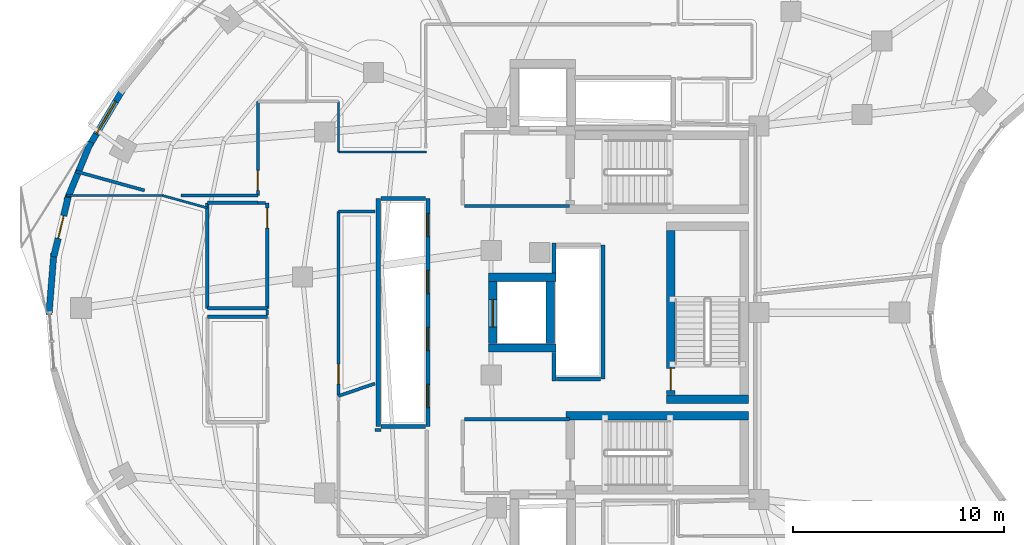
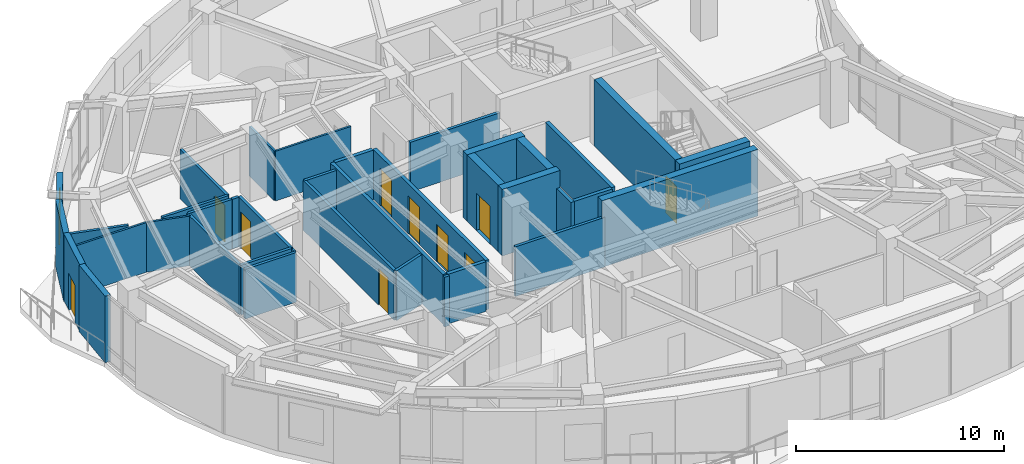
# One storey, part 9 of 14: 39 walls, 10 doors, 1 window, 11 openings.
"""IFC4 building model written with IfcOpenShell, lengths in metres."""

from ifc_helpers import new_model, si_unit, direction, frame, frame_2d, origin, place, context, subcontext, project, spatial, rectangle, extrude, material, layer, layer_set, type_object, element, fill, save


model = new_model("IFC4")

# Units and contexts
model_context = context("Model", 3, precision=1e-05, world=origin(), true_north=direction((0.0, 1.0)))
body_context = subcontext(model_context, "Body", "Model", "MODEL_VIEW")
ifc_project = project(units=[si_unit("LENGTHUNIT", "METRE"), si_unit("AREAUNIT", "SQUARE_METRE"), si_unit("VOLUMEUNIT", "CUBIC_METRE"), si_unit("PLANEANGLEUNIT", "RADIAN"), si_unit("MASSUNIT", "GRAM", prefix="KILO")], contexts=[model_context])

# Site, building, storey
site_placement = place(None, origin())
site = spatial("IfcSite", under=ifc_project, at=site_placement, CompositionType="ELEMENT")
building_placement = place(site_placement, origin())
building = spatial("IfcBuilding", under=site, at=building_placement, Name="Korentha Bioscience Tower", CompositionType="ELEMENT")
storey_placement = place(building_placement, frame((0.0, 0.0, 231.0)))
storey = spatial("IfcBuildingStorey", under=building, at=storey_placement, Name="L53", CompositionType="ELEMENT", Elevation=231.0)

# Wall, opening, door
ifc_material_1 = material(Name="Double-Stud Acoustic Gypsum", Category="gypsum")
ifc_layer_1 = layer(ifc_material_1, 0.14990234375, Name="Double-Stud Acoustic Gypsum")
ifc_layer_set_1 = layer_set([ifc_layer_1], Name="Double-Stud Acoustic Gypsum (IW-L150)")
wall_type_1 = type_object("IfcWallType", Name="Acoustic Laboratory Partition Wall 150", PredefinedType="PARTITIONING", material=ifc_layer_set_1)
wall_1_placement = place(storey_placement, frame((13.7900390625, 37.0, 0.0), z_axis=(0.0, 0.0, 1.0), x_axis=(0.0, -1.0, 0.0)))
wall_1 = element("IfcWall", 1, at=wall_1_placement, inside=storey, type_object=wall_type_1, Name="L53 Staff Kitchenette and Dining Nook 10 Entrance Wall", PredefinedType="PARTITIONING", context=body_context, shape_type="SweptSolid", body=[
    extrude(rectangle(XDim=4.447998046875, YDim=0.14990234375, at=frame_2d((2.22412109375, 0.0))), origin(), (0.0, 0.0, 1.0), 2.909912109375),
])
opening_1_placement = place(wall_1_placement, frame((3.258056640625, 0.0, 0.0)))
opening_1 = element("IfcOpeningElement", 2, at=opening_1_placement, cuts=wall_1, Name="Opening ID-10L", PredefinedType="OPENING", context=body_context, shape_type="SweptSolid", body=[
    extrude(rectangle(XDim=0.949951171875, YDim=2.14990234375, at=frame_2d((0.47509765625, 1.074951171875))), frame((0.0, 0.08984375, 0.0), z_axis=(0.0, -1.0, 0.0), x_axis=(1.0, 0.0, 0.0)), (0.0, 0.0, 1.0), 0.1796875),
])
ifc_material_2 = material(Name="Phenolic Laminate Timber Core", Category="wood")
door_type_1 = type_object("IfcDoorType", Name="Laboratory Single Leaf Door 950x2150 Left", OperationType="SINGLE_SWING_LEFT", PredefinedType="DOOR", material=ifc_material_2)
door_1_placement = place(opening_1_placement, origin())
door_1 = element("IfcDoor", 3, at=door_1_placement, inside=storey, type_object=door_type_1, Name="L53 Staff Kitchenette and Dining Nook 10 Door", OperationType="SINGLE_SWING_LEFT", OverallHeight=2.14990234375, OverallWidth=0.949951171875, PredefinedType="DOOR", context=body_context, shape_type="SweptSolid", body=[
    extrude(rectangle(XDim=0.949951171875, YDim=2.14990234375, at=frame_2d((0.47509765625, 1.074951171875))), frame((0.0, 0.02490234375, 0.0), z_axis=(0.0, -1.0, 0.0), x_axis=(1.0, 0.0, 0.0)), (0.0, 0.0, 1.0), 0.050048828125),
])
fill(opening_1, door_1)

# Walls
wall_2_placement = place(storey_placement, frame((11.39990234375, 26.800048828125, 0.0), z_axis=(0.0, 0.0, 1.0), x_axis=(1.0, 0.0, 0.0)))
element("IfcWall", 4, at=wall_2_placement, inside=storey, type_object=wall_type_1, Name="L53 Interior Partition 026", PredefinedType="PARTITIONING", context=body_context, shape_type="SweptSolid", body=[
    extrude(rectangle(XDim=2.840087890625, YDim=0.14990234375, at=frame_2d((1.419921875, 0.0))), origin(), (0.0, 0.0, 1.0), 2.909912109375),
])
wall_3_placement = place(storey_placement, frame((19.35009765625, 21.43994140625, 0.0), z_axis=(0.0, 0.0, 1.0), x_axis=(1.0, 0.0, 0.0)))
element("IfcWall", 5, at=wall_3_placement, inside=storey, type_object=wall_type_1, Name="L53 Interior Partition 037", PredefinedType="PARTITIONING", context=body_context, shape_type="SweptSolid", body=[
    extrude(rectangle(XDim=0.27001953125, YDim=0.14990234375, at=frame_2d((0.135009765625, 0.0))), origin(), (0.0, 0.0, 1.0), 2.909912109375),
])
wall_4_placement = place(storey_placement, frame((17.610107421875, 23.0478515625, 0.0), z_axis=(0.0, 0.0, 1.0), x_axis=(0.9472297082, 0.320555580054, 0.0)))
element("IfcWall", 6, at=wall_4_placement, inside=storey, type_object=wall_type_1, Name="L53 Interior Partition 040", PredefinedType="PARTITIONING", context=body_context, shape_type="SweptSolid", body=[
    extrude(rectangle(XDim=1.826416015625, YDim=0.14990234375, at=frame_2d((0.9130859375, 0.0))), origin(), (0.0, 0.0, 1.0), 2.909912109375),
])
wall_5_placement = place(storey_placement, frame((13.7900390625, 32.552001953125, 0.0), z_axis=(0.0, 0.0, 1.0), x_axis=(-1.0, 0.0, 0.0)))
element("IfcWall", 7, at=wall_5_placement, inside=storey, type_object=wall_type_1, Name="L53 Interior Partition 067", PredefinedType="PARTITIONING", context=body_context, shape_type="SweptSolid", body=[
    extrude(rectangle(XDim=3.63916015625, YDim=0.14990234375, at=frame_2d((1.819580078125, 0.0))), origin(), (0.0, 0.0, 1.0), 2.909912109375),
])
wall_6_placement = place(storey_placement, frame((8.416748046875, 32.7880859375, 0.0), z_axis=(0.0, 0.0, 1.0), x_axis=(-0.963635086901, 0.267221666961, 0.0)))
element("IfcWall", 8, at=wall_6_placement, inside=storey, type_object=wall_type_1, Name="L53 Interior Partition 068", PredefinedType="PARTITIONING", context=body_context, shape_type="SweptSolid", body=[
    extrude(rectangle(XDim=3.370361328125, YDim=0.14990234375, at=frame_2d((1.68505859375, 0.0))), origin(), (0.0, 0.0, 1.0), 2.909912109375),
])
ifc_material_3 = material(Name="Fire-Rated Framed Glass", Category="glass")
ifc_layer_2 = layer(ifc_material_3, 0.110107421875, Name="Fire-Rated Framed Glass")
ifc_layer_set_2 = layer_set([ifc_layer_2], Name="Fire-Rated Framed Glass (IW-G110)")
wall_type_2 = type_object("IfcWallType", Name="Demountable Glazed Office Partition 110", PredefinedType="MOVABLE", material=ifc_layer_set_2)
wall_7_placement = place(storey_placement, frame((4.71875, 32.548095703125, 0.0), z_axis=(0.0, 0.0, 1.0), x_axis=(1.0, 0.0, 0.0)))
element("IfcWall", 9, at=wall_7_placement, inside=storey, type_object=wall_type_2, Name="L53 Interior Partition 031", PredefinedType="MOVABLE", context=body_context, shape_type="SweptSolid", body=[
    extrude(rectangle(XDim=4.54833984375, YDim=0.110107421875, at=frame_2d((2.274169921875, 0.0))), origin(), (0.0, 0.0, 1.0), 2.909912109375),
])
wall_8_placement = place(storey_placement, frame((9.267333984375, 32.548095703125, 0.0), z_axis=(0.0, 0.0, 1.0), x_axis=(0.963603606823, -0.267335162141, 0.0)))
element("IfcWall", 10, at=wall_8_placement, inside=storey, type_object=wall_type_2, Name="L53 Interior Partition 032", PredefinedType="MOVABLE", context=body_context, shape_type="SweptSolid", body=[
    extrude(rectangle(XDim=2.20263671875, YDim=0.110107421875, at=frame_2d((1.101318359375, 0.0))), origin(), (0.0, 0.0, 1.0), 2.909912109375),
])
wall_9_placement = place(storey_placement, frame((14.239990234375, 27.116943359375, 0.0), z_axis=(0.0, 0.0, 1.0), x_axis=(0.0, -1.0, 0.0)))
element("IfcWall", 11, at=wall_9_placement, inside=storey, type_object=wall_type_2, Name="L53 Interior Partition 033", PredefinedType="MOVABLE", context=body_context, shape_type="SweptSolid", body=[
    extrude(rectangle(XDim=0.239013671875, YDim=0.110107421875, at=frame_2d((0.11962890625, 0.0))), origin(), (0.0, 0.0, 1.0), 2.909912109375),
])
wall_10_placement = place(storey_placement, frame((21.7900390625, 34.610107421875, 0.0), z_axis=(0.0, 0.0, 1.0), x_axis=(-1.0, 0.0, 0.0)))
element("IfcWall", 12, at=wall_10_placement, inside=storey, type_object=wall_type_2, Name="L53 Interior Partition 061", PredefinedType="MOVABLE", context=body_context, shape_type="SweptSolid", body=[
    extrude(rectangle(XDim=4.179931640625, YDim=0.110107421875, at=frame_2d((2.08984375, 0.0))), origin(), (0.0, 0.0, 1.0), 2.909912109375),
])
wall_11_placement = place(storey_placement, frame((17.610107421875, 34.610107421875, 0.0), z_axis=(0.0, 0.0, 1.0), x_axis=(0.0, 1.0, 0.0)))
element("IfcWall", 13, at=wall_11_placement, inside=storey, type_object=wall_type_2, Name="L53 Interior Partition 062", PredefinedType="MOVABLE", context=body_context, shape_type="SweptSolid", body=[
    extrude(rectangle(XDim=2.389892578125, YDim=0.110107421875, at=frame_2d((1.19482421875, 0.0))), origin(), (0.0, 0.0, 1.0), 2.909912109375),
])
ifc_material_4 = material(Name="Gypsum-Clad Steel Stud", Category="steel")
ifc_layer_3 = layer(ifc_material_4, 0.159912109375, Name="Gypsum-Clad Steel Stud")
ifc_layer_set_3 = layer_set([ifc_layer_3], Name="Gypsum-Clad Steel Stud (IW-C160)")
wall_type_3 = type_object("IfcWallType", Name="Fire-Rated Corridor Partition Wall 160", PredefinedType="PARTITIONING", material=ifc_layer_set_3)
for number, where, z_axis, x_axis, name in (
    (14, (23.580078125, 32.050048828125, 0.0), (0.0, 0.0, 1.0), (1.0, 0.0, 0.0), "L53 Firefighting Lobby Return Wall FFLN-S"),
    (15, (23.580078125, 21.949951171875, 0.0), (0.0, 0.0, 1.0), (1.0, 0.0, 0.0), "L53 Firefighting Lobby Return Wall FFLS-N"),
):
    element("IfcWall", number, at=place(storey_placement, frame(where, z_axis=z_axis, x_axis=x_axis)), inside=storey, type_object=wall_type_3, Name=name, PredefinedType="PARTITIONING", context=body_context, shape_type="SweptSolid", body=[
        extrude(rectangle(XDim=4.969970703125, YDim=0.159912109375, at=frame_2d((2.48486328125, 0.0))), origin(), (0.0, 0.0, 1.0), 2.909912109375),
    ])

# Wall, opening, door
wall_12_placement = place(storey_placement, frame((14.239990234375, 32.18994140625, 0.0), z_axis=(0.0, 0.0, 1.0), x_axis=(0.0, -1.0, 0.0)))
wall_12 = element("IfcWall", 16, at=wall_12_placement, inside=storey, type_object=wall_type_3, Name="L53 Reclaimed Bank-1 Glassware Store Entrance Wall", PredefinedType="PARTITIONING", context=body_context, shape_type="SweptSolid", body=[
    extrude(rectangle(XDim=4.989990234375, YDim=0.159912109375, at=frame_2d((2.4951171875, 0.0))), origin(), (0.0, 0.0, 1.0), 2.909912109375),
])
opening_2_placement = place(wall_12_placement, frame((0.239990234375, 0.0, 0.0)))
opening_2 = element("IfcOpeningElement", 17, at=opening_2_placement, cuts=wall_12, Name="Opening ID-10L", PredefinedType="OPENING", context=body_context, shape_type="SweptSolid", body=[
    extrude(rectangle(XDim=0.949951171875, YDim=2.14990234375, at=frame_2d((0.47509765625, 1.074951171875))), frame((0.0, 0.0947265625, 0.0), z_axis=(0.0, -1.0, 0.0), x_axis=(1.0, 0.0, 0.0)), (0.0, 0.0, 1.0), 0.189697265625),
])
door_2_placement = place(opening_2_placement, origin())
door_2 = element("IfcDoor", 18, at=door_2_placement, inside=storey, type_object=door_type_1, Name="L53 Reclaimed Bank-1 Glassware Store Door", OperationType="SINGLE_SWING_LEFT", OverallHeight=2.14990234375, OverallWidth=0.949951171875, PredefinedType="DOOR", context=body_context, shape_type="SweptSolid", body=[
    extrude(rectangle(XDim=0.949951171875, YDim=2.14990234375, at=frame_2d((0.47509765625, 1.074951171875))), frame((0.0, 0.02490234375, 0.0), z_axis=(0.0, -1.0, 0.0), x_axis=(1.0, 0.0, 0.0)), (0.0, 0.0, 1.0), 0.050048828125),
])
fill(opening_2, door_2)

wall_13_placement = place(storey_placement, frame((17.610107421875, 23.058349609375, 0.0), z_axis=(0.0, 0.0, 1.0), x_axis=(0.0, 1.0, 0.0)))
wall_13 = element("IfcWall", 19, at=wall_13_placement, inside=storey, type_object=wall_type_3, Name="L53 Specimen Barcoding Receiving Room 11 Entrance Wall", PredefinedType="PARTITIONING", context=body_context, shape_type="SweptSolid", body=[
    extrude(rectangle(XDim=8.731689453125, YDim=0.159912109375, at=frame_2d((4.36572265625, 0.0))), origin(), (0.0, 0.0, 1.0), 2.909912109375),
])
opening_3_placement = place(wall_13_placement, frame((0.551513671875, 0.0, 0.0)))
opening_3 = element("IfcOpeningElement", 20, at=opening_3_placement, cuts=wall_13, Name="Opening ID-10R", PredefinedType="OPENING", context=body_context, shape_type="SweptSolid", body=[
    extrude(rectangle(XDim=0.949951171875, YDim=2.14990234375, at=frame_2d((0.47509765625, 1.074951171875))), frame((0.0, 0.0947265625, 0.0), z_axis=(0.0, -1.0, 0.0), x_axis=(1.0, 0.0, 0.0)), (0.0, 0.0, 1.0), 0.189697265625),
])
door_type_2 = type_object("IfcDoorType", Name="Laboratory Single Leaf Door 950x2150 Right", OperationType="SINGLE_SWING_RIGHT", PredefinedType="DOOR", material=ifc_material_2)
door_3_placement = place(opening_3_placement, origin())
door_3 = element("IfcDoor", 21, at=door_3_placement, inside=storey, type_object=door_type_2, Name="L53 Specimen Barcoding Receiving Room 11 Door", OperationType="SINGLE_SWING_RIGHT", OverallHeight=2.14990234375, OverallWidth=0.949951171875, PredefinedType="DOOR", context=body_context, shape_type="SweptSolid", body=[
    extrude(rectangle(XDim=0.949951171875, YDim=2.14990234375, at=frame_2d((0.47509765625, 1.074951171875))), frame((0.0, 0.02490234375, 0.0), z_axis=(0.0, -1.0, 0.0), x_axis=(1.0, 0.0, 0.0)), (0.0, 0.0, 1.0), 0.050048828125),
])
fill(opening_3, door_3)

# Walls
wall_14_placement = place(storey_placement, frame((13.800048828125, 32.18994140625, 0.0), z_axis=(0.0, 0.0, 1.0), x_axis=(1.0, 0.0, 0.0)))
element("IfcWall", 22, at=wall_14_placement, inside=storey, type_object=wall_type_3, Name="L53 Interior Partition 027", PredefinedType="PARTITIONING", context=body_context, shape_type="SweptSolid", body=[
    extrude(rectangle(XDim=0.35693359375, YDim=0.159912109375, at=frame_2d((0.178466796875, 0.0))), origin(), (0.0, 0.0, 1.0), 2.909912109375),
])
wall_15_placement = place(storey_placement, frame((14.239990234375, 27.199951171875, 0.0), z_axis=(0.0, 0.0, 1.0), x_axis=(-1.0, 0.0, 0.0)))
element("IfcWall", 23, at=wall_15_placement, inside=storey, type_object=wall_type_3, Name="L53 Interior Partition 028", PredefinedType="PARTITIONING", context=body_context, shape_type="SweptSolid", body=[
    extrude(rectangle(XDim=2.840087890625, YDim=0.159912109375, at=frame_2d((1.419921875, 0.0))), origin(), (0.0, 0.0, 1.0), 2.909912109375),
])
wall_16_placement = place(storey_placement, frame((11.39990234375, 27.199951171875, 0.0), z_axis=(0.0, 0.0, 1.0), x_axis=(0.0, 1.0, 0.0)))
element("IfcWall", 24, at=wall_16_placement, inside=storey, type_object=wall_type_3, Name="L53 Interior Partition 029", PredefinedType="PARTITIONING", context=body_context, shape_type="SweptSolid", body=[
    extrude(rectangle(XDim=5.0, YDim=0.159912109375, at=frame_2d((2.5, 0.0))), origin(), (0.0, 0.0, 1.0), 2.909912109375),
])
wall_17_placement = place(storey_placement, frame((11.39990234375, 32.199951171875, 0.0), z_axis=(0.0, 0.0, 1.0), x_axis=(1.0, 0.0, 0.0)))
element("IfcWall", 25, at=wall_17_placement, inside=storey, type_object=wall_type_3, Name="L53 Interior Partition 030", PredefinedType="PARTITIONING", context=body_context, shape_type="SweptSolid", body=[
    extrude(rectangle(XDim=2.39013671875, YDim=0.159912109375, at=frame_2d((1.195068359375, 0.0))), origin(), (0.0, 0.0, 1.0), 2.909912109375),
])
wall_18_placement = place(storey_placement, frame((17.610107421875, 31.7900390625, 0.0), z_axis=(0.0, 0.0, 1.0), x_axis=(1.0, 0.0, 0.0)))
element("IfcWall", 26, at=wall_18_placement, inside=storey, type_object=wall_type_3, Name="L53 Interior Partition 069", PredefinedType="PARTITIONING", context=body_context, shape_type="SweptSolid", body=[
    extrude(rectangle(XDim=1.72998046875, YDim=0.159912109375, at=frame_2d((0.864990234375, 0.0))), origin(), (0.0, 0.0, 1.0), 2.909912109375),
])

# Wall, opening, window
ifc_material_5 = material(Name="Honed Limestone Precast Concrete C40", Category="masonry")
ifc_layer_4 = layer(ifc_material_5, 0.300048828125, Name="Honed Limestone Precast Concrete C40")
ifc_layer_set_4 = layer_set([ifc_layer_4], Name="Honed Limestone Precast Concrete C40 (EW-ST300)")
wall_type_4 = type_object("IfcWallType", Name="Honed Limestone Cavity Spandrel Wall 300", PredefinedType="STANDARD", material=ifc_layer_set_4)
wall_19_placement = place(storey_placement, frame((7.3701171875, 37.5380859375, 0.0), z_axis=(0.0, 0.0, 1.0), x_axis=(-0.511263271049, -0.859424148879, 0.0)))
wall_19 = element("IfcWall", 27, at=wall_19_placement, inside=storey, type_object=wall_type_4, Name="L53 Honed Limestone Spandrel Wall 15", PredefinedType="STANDARD", context=body_context, shape_type="SweptSolid", body=[
    extrude(rectangle(XDim=3.03564453125, YDim=0.300048828125, at=frame_2d((1.517822265625, 0.0))), origin(), (0.0, 0.0, 1.0), 3.469970703125),
])
opening_4_placement = place(wall_19_placement, frame((0.617919921875, 0.0, 0.89990234375)))
opening_4 = element("IfcOpeningElement", 28, at=opening_4_placement, cuts=wall_19, Name="Opening WN-01", PredefinedType="OPENING", context=body_context, shape_type="SweptSolid", body=[
    extrude(rectangle(XDim=1.800048828125, YDim=2.10009765625, at=frame_2d((0.89990234375, 1.050048828125))), frame((0.0, 0.1650390625, 0.0), z_axis=(0.0, -1.0, 0.0), x_axis=(1.0, 0.0, 0.0)), (0.0, 0.0, 1.0), 0.329833984375),
])
ifc_material_6 = material(Name="Thermally Broken Aluminium Triple Glazing", Category="aluminium")
window_type = type_object("IfcWindowType", Name="Triple-Glazed Fixed Bioscience Window 1800x2100", PartitioningType="SINGLE_PANEL", PredefinedType="WINDOW", material=ifc_material_6)
window_placement = place(opening_4_placement, origin())
window = element("IfcWindow", 29, at=window_placement, inside=storey, type_object=window_type, Name="L53 Facade Window 15", OverallHeight=2.10009765625, OverallWidth=1.800048828125, PartitioningType="SINGLE_PANEL", PredefinedType="WINDOW", context=body_context, shape_type="SweptSolid", body=[
    extrude(rectangle(XDim=1.800048828125, YDim=2.10009765625, at=frame_2d((0.89990234375, 1.050048828125))), frame((0.0, 0.030029296875, 0.0), z_axis=(0.0, -1.0, 0.0), x_axis=(1.0, 0.0, 0.0)), (0.0, 0.0, 1.0), 0.06005859375),
])
fill(opening_4, window)

# Wall, opening, door
wall_20_placement = place(storey_placement, frame((4.80029296875, 32.461181640625, 0.0), z_axis=(0.0, 0.0, 1.0), x_axis=(-0.23549395731, -0.971875813091, 0.0)))
wall_20 = element("IfcWall", 30, at=wall_20_placement, inside=storey, type_object=wall_type_4, Name="L53 Balcony Threshold Wall 02", PredefinedType="STANDARD", context=body_context, shape_type="SweptSolid", body=[
    extrude(rectangle(XDim=2.898681640625, YDim=0.300048828125, at=frame_2d((1.44921875, 0.0))), origin(), (0.0, 0.0, 1.0), 3.89990234375),
])
opening_5_placement = place(wall_20_placement, frame((0.8994140625, 0.0, 0.0)))
opening_5 = element("IfcOpeningElement", 31, at=opening_5_placement, cuts=wall_20, Name="Opening BD-11R", PredefinedType="OPENING", context=body_context, shape_type="SweptSolid", body=[
    extrude(rectangle(XDim=1.10009765625, YDim=2.14990234375, at=frame_2d((0.550048828125, 1.074951171875))), frame((0.0, 0.1650390625, 0.0), z_axis=(0.0, -1.0, 0.0), x_axis=(1.0, 0.0, 0.0)), (0.0, 0.0, 1.0), 0.329833984375),
])
ifc_material_7 = material(Name="Thermally Broken Glazed Aluminium", Category="aluminium")
door_type_3 = type_object("IfcDoorType", Name="Balcony Terrace Glazed Door 1100x2150 Right", OperationType="SINGLE_SWING_RIGHT", PredefinedType="DOOR", material=ifc_material_7)
door_4_placement = place(opening_5_placement, origin())
door_4 = element("IfcDoor", 32, at=door_4_placement, inside=storey, type_object=door_type_3, Name="L53 Balcony Access Door 02", OperationType="SINGLE_SWING_RIGHT", OverallHeight=2.14990234375, OverallWidth=1.10009765625, PredefinedType="DOOR", context=body_context, shape_type="SweptSolid", body=[
    extrude(rectangle(XDim=1.10009765625, YDim=2.14990234375, at=frame_2d((0.550048828125, 1.074951171875))), frame((0.0, 0.02490234375, 0.0), z_axis=(0.0, -1.0, 0.0), x_axis=(1.0, 0.0, 0.0)), (0.0, 0.0, 1.0), 0.050048828125),
])
fill(opening_5, door_4)

# Walls
wall_21_placement = place(storey_placement, frame((5.87109375, 35.083251953125, 0.0), z_axis=(0.0, 0.0, 1.0), x_axis=(-0.380967021775, -0.924588626536, 0.0)))
element("IfcWall", 33, at=wall_21_placement, inside=storey, type_object=wall_type_4, Name="L53 Limestone Perimeter Closure Wall 16", PredefinedType="STANDARD", context=body_context, shape_type="SweptSolid", body=[
    extrude(rectangle(XDim=2.995849609375, YDim=0.300048828125, at=frame_2d((1.498046875, 0.0))), origin(), (0.0, 0.0, 1.0), 3.89990234375),
])
wall_22_placement = place(storey_placement, frame((4.1220703125, 29.80859375, 0.0), z_axis=(0.0, 0.0, 1.0), x_axis=(-0.079738550157, -0.996815812284, 0.0)))
element("IfcWall", 34, at=wall_22_placement, inside=storey, type_object=wall_type_4, Name="L53 Limestone Perimeter Closure Wall 18", PredefinedType="STANDARD", context=body_context, shape_type="SweptSolid", body=[
    extrude(rectangle(XDim=2.90869140625, YDim=0.300048828125, at=frame_2d((1.454345703125, 0.0))), origin(), (0.0, 0.0, 1.0), 3.89990234375),
])
ifc_material_8 = material(Name="Autoclaved Aerated Concrete Block C25", Category="concrete")
ifc_layer_5 = layer(ifc_material_8, 0.199951171875, Name="Autoclaved Aerated Concrete Block C25")
ifc_layer_set_5 = layer_set([ifc_layer_5], Name="Autoclaved Aerated Concrete Block C25 (IW-S200)")
wall_type_5 = type_object("IfcWallType", Name="Lift and Riser Shaft Enclosure Wall 200", PredefinedType="PARTITIONING", material=ifc_layer_set_5)
wall_23_placement = place(storey_placement, frame((19.5, 21.60009765625, 0.0), z_axis=(0.0, 0.0, 1.0), x_axis=(0.0, 1.0, 0.0)))
element("IfcWall", 35, at=wall_23_placement, inside=storey, type_object=wall_type_5, Name="L53 Lift Bank MID Shaft Wall -X", PredefinedType="PARTITIONING", context=body_context, shape_type="SweptSolid", body=[
    extrude(rectangle(XDim=10.7998046875, YDim=0.199951171875, at=frame_2d((5.39990234375, 0.0))), origin(), (0.0, 0.0, 1.0), 2.909912109375),
])

# Wall, openings, doors
wall_24_placement = place(storey_placement, frame((21.85009765625, 21.60009765625, 0.0), z_axis=(0.0, 0.0, 1.0), x_axis=(0.0, 1.0, 0.0)))
wall_24 = element("IfcWall", 36, at=wall_24_placement, inside=storey, type_object=wall_type_5, Name="L53 Lift Bank MID Shaft Wall +X", PredefinedType="PARTITIONING", context=body_context, shape_type="SweptSolid", body=[
    extrude(rectangle(XDim=10.7998046875, YDim=0.199951171875, at=frame_2d((5.39990234375, 0.0))), origin(), (0.0, 0.0, 1.0), 2.909912109375),
])
opening_6_placement = place(wall_24_placement, frame((0.89990234375, 0.0, 0.0)))
opening_6 = element("IfcOpeningElement", 37, at=opening_6_placement, cuts=wall_24, Name="Opening LD-11", PredefinedType="OPENING", context=body_context, shape_type="SweptSolid", body=[
    extrude(rectangle(XDim=1.10009765625, YDim=2.199951171875, at=frame_2d((0.550048828125, 1.10009765625))), frame((0.0, 0.11474609375, 0.0), z_axis=(0.0, -1.0, 0.0), x_axis=(1.0, 0.0, 0.0)), (0.0, 0.0, 1.0), 0.229736328125),
])
opening_7_placement = place(wall_24_placement, frame((3.60009765625, 0.0, 0.0)))
opening_7 = element("IfcOpeningElement", 38, at=opening_7_placement, cuts=wall_24, Name="Opening LD-11", PredefinedType="OPENING", context=body_context, shape_type="SweptSolid", body=[
    extrude(rectangle(XDim=1.10009765625, YDim=2.199951171875, at=frame_2d((0.550048828125, 1.10009765625))), frame((0.0, 0.11474609375, 0.0), z_axis=(0.0, -1.0, 0.0), x_axis=(1.0, 0.0, 0.0)), (0.0, 0.0, 1.0), 0.229736328125),
])
opening_8_placement = place(wall_24_placement, frame((6.300048828125, 0.0, 0.0)))
opening_8 = element("IfcOpeningElement", 39, at=opening_8_placement, cuts=wall_24, Name="Opening LD-11", PredefinedType="OPENING", context=body_context, shape_type="SweptSolid", body=[
    extrude(rectangle(XDim=1.10009765625, YDim=2.199951171875, at=frame_2d((0.550048828125, 1.10009765625))), frame((0.0, 0.11474609375, 0.0), z_axis=(0.0, -1.0, 0.0), x_axis=(1.0, 0.0, 0.0)), (0.0, 0.0, 1.0), 0.229736328125),
])
opening_9_placement = place(wall_24_placement, frame((9.0, 0.0, 0.0)))
opening_9 = element("IfcOpeningElement", 40, at=opening_9_placement, cuts=wall_24, Name="Opening LD-11", PredefinedType="OPENING", context=body_context, shape_type="SweptSolid", body=[
    extrude(rectangle(XDim=1.10009765625, YDim=2.199951171875, at=frame_2d((0.550048828125, 1.10009765625))), frame((0.0, 0.11474609375, 0.0), z_axis=(0.0, -1.0, 0.0), x_axis=(1.0, 0.0, 0.0)), (0.0, 0.0, 1.0), 0.229736328125),
])
ifc_material_9 = material(Name="Brushed Stainless Steel 304", Category="steel")
door_type_4 = type_object("IfcDoorType", Name="Passenger Lift Sliding Landing Door 1100x2200", OperationType="DOUBLE_DOOR_SLIDING", PredefinedType="DOOR", material=ifc_material_9)
door_5_placement = place(opening_6_placement, origin())
door_5 = element("IfcDoor", 41, at=door_5_placement, inside=storey, type_object=door_type_4, Name="L53 PL-M1 Sliding Lift Landing Door", OperationType="DOUBLE_DOOR_SLIDING", OverallHeight=2.199951171875, OverallWidth=1.10009765625, PredefinedType="DOOR", context=body_context, shape_type="SweptSolid", body=[
    extrude(rectangle(XDim=1.10009765625, YDim=2.199951171875, at=frame_2d((0.550048828125, 1.10009765625))), frame((0.0, 0.02490234375, 0.0), z_axis=(0.0, -1.0, 0.0), x_axis=(1.0, 0.0, 0.0)), (0.0, 0.0, 1.0), 0.050048828125),
])
fill(opening_6, door_5)
door_6_placement = place(opening_7_placement, origin())
door_6 = element("IfcDoor", 42, at=door_6_placement, inside=storey, type_object=door_type_4, Name="L53 PL-M2 Sliding Lift Landing Door", OperationType="DOUBLE_DOOR_SLIDING", OverallHeight=2.199951171875, OverallWidth=1.10009765625, PredefinedType="DOOR", context=body_context, shape_type="SweptSolid", body=[
    extrude(rectangle(XDim=1.10009765625, YDim=2.199951171875, at=frame_2d((0.550048828125, 1.10009765625))), frame((0.0, 0.02490234375, 0.0), z_axis=(0.0, -1.0, 0.0), x_axis=(1.0, 0.0, 0.0)), (0.0, 0.0, 1.0), 0.050048828125),
])
fill(opening_7, door_6)
door_7_placement = place(opening_8_placement, origin())
door_7 = element("IfcDoor", 43, at=door_7_placement, inside=storey, type_object=door_type_4, Name="L53 PL-M3 Sliding Lift Landing Door", OperationType="DOUBLE_DOOR_SLIDING", OverallHeight=2.199951171875, OverallWidth=1.10009765625, PredefinedType="DOOR", context=body_context, shape_type="SweptSolid", body=[
    extrude(rectangle(XDim=1.10009765625, YDim=2.199951171875, at=frame_2d((0.550048828125, 1.10009765625))), frame((0.0, 0.02490234375, 0.0), z_axis=(0.0, -1.0, 0.0), x_axis=(1.0, 0.0, 0.0)), (0.0, 0.0, 1.0), 0.050048828125),
])
fill(opening_8, door_7)
door_8_placement = place(opening_9_placement, origin())
door_8 = element("IfcDoor", 44, at=door_8_placement, inside=storey, type_object=door_type_4, Name="L53 PL-M4 Sliding Lift Landing Door", OperationType="DOUBLE_DOOR_SLIDING", OverallHeight=2.199951171875, OverallWidth=1.10009765625, PredefinedType="DOOR", context=body_context, shape_type="SweptSolid", body=[
    extrude(rectangle(XDim=1.10009765625, YDim=2.199951171875, at=frame_2d((0.550048828125, 1.10009765625))), frame((0.0, 0.02490234375, 0.0), z_axis=(0.0, -1.0, 0.0), x_axis=(1.0, 0.0, 0.0)), (0.0, 0.0, 1.0), 0.050048828125),
])
fill(opening_9, door_8)

# Walls
for number, where, z_axis, x_axis, name in (
    (45, (19.6201171875, 21.60009765625, 0.0), (0.0, 0.0, 1.0), (1.0, 0.0, 0.0), "L53 Lift Bank MID Shaft Wall -Y"),
    (46, (19.6201171875, 32.39990234375, 0.0), (0.0, 0.0, 1.0), (1.0, 0.0, 0.0), "L53 Lift Bank MID Shaft Wall +Y"),
):
    element("IfcWall", number, at=place(storey_placement, frame(where, z_axis=z_axis, x_axis=x_axis)), inside=storey, type_object=wall_type_5, Name=name, PredefinedType="PARTITIONING", context=body_context, shape_type="SweptSolid", body=[
        extrude(rectangle(XDim=2.10986328125, YDim=0.199951171875, at=frame_2d((1.054931640625, 0.0))), origin(), (0.0, 0.0, 1.0), 2.909912109375),
    ])
wall_25_placement = place(storey_placement, frame((27.830078125, 23.75, 0.0), z_axis=(0.0, 0.0, 1.0), x_axis=(0.0, 1.0, 0.0)))
element("IfcWall", 47, at=wall_25_placement, inside=storey, type_object=wall_type_5, Name="L53 Lift Bank HIGH Shaft Wall -XS", PredefinedType="PARTITIONING", context=body_context, shape_type="SweptSolid", body=[
    extrude(rectangle(XDim=1.365966796875, YDim=0.199951171875, at=frame_2d((0.68310546875, 0.0))), origin(), (0.0, 0.0, 1.0), 2.909912109375),
])
wall_26_placement = place(storey_placement, frame((27.830078125, 28.884033203125, 0.0), z_axis=(0.0, 0.0, 1.0), x_axis=(0.0, 1.0, 0.0)))
element("IfcWall", 48, at=wall_26_placement, inside=storey, type_object=wall_type_5, Name="L53 Lift Bank HIGH Shaft Wall -XN", PredefinedType="PARTITIONING", context=body_context, shape_type="SweptSolid", body=[
    extrude(rectangle(XDim=1.416015625, YDim=0.199951171875, at=frame_2d((0.7080078125, 0.0))), origin(), (0.0, 0.0, 1.0), 2.909912109375),
])
wall_27_placement = place(storey_placement, frame((30.14990234375, 23.85009765625, 0.0), z_axis=(0.0, 0.0, 1.0), x_axis=(0.0, 1.0, 0.0)))
element("IfcWall", 49, at=wall_27_placement, inside=storey, type_object=wall_type_5, Name="L53 Lift Bank HIGH Shaft Wall +X", PredefinedType="PARTITIONING", context=body_context, shape_type="SweptSolid", body=[
    extrude(rectangle(XDim=6.349853515625, YDim=0.199951171875, at=frame_2d((3.1748046875, 0.0))), origin(), (0.0, 0.0, 1.0), 2.909912109375),
])
wall_28_placement = place(storey_placement, frame((27.93408203125, 23.85009765625, 0.0), z_axis=(0.0, 0.0, 1.0), x_axis=(1.0, 0.0, 0.0)))
element("IfcWall", 50, at=wall_28_placement, inside=storey, type_object=wall_type_5, Name="L53 Lift Bank HIGH Shaft Wall -Y", PredefinedType="PARTITIONING", context=body_context, shape_type="SweptSolid", body=[
    extrude(rectangle(XDim=2.095947265625, YDim=0.199951171875, at=frame_2d((1.0478515625, 0.0))), origin(), (0.0, 0.0, 1.0), 2.909912109375),
])
ifc_material_10 = material(Name="Concrete C65", Category="concrete")
ifc_layer_6 = layer(ifc_material_10, 0.39990234375, Name="Concrete C65")
ifc_layer_set_6 = layer_set([ifc_layer_6], Name="Concrete C65 (CW-C65)")
wall_type_6 = type_object("IfcWallType", Name="Mid-Rise Core Shear Wall 400", PredefinedType="SHEAR", material=ifc_layer_set_6)
wall_29_placement = place(storey_placement, frame((28.39990234375, 22.10009765625, 0.0), z_axis=(0.0, 0.0, 1.0), x_axis=(1.0, 0.0, 0.0)))
element("IfcWall", 51, at=wall_29_placement, inside=storey, type_object=wall_type_6, Name="L53 Core Shear Wall ST2-N", PredefinedType="SHEAR", context=body_context, shape_type="SweptSolid", body=[
    extrude(rectangle(XDim=8.650146484375, YDim=0.39990234375, at=frame_2d((4.3251953125, 0.0))), origin(), (0.0, 0.0, 1.0), 3.89990234375),
])
wall_30_placement = place(storey_placement, frame((33.14990234375, 22.89990234375, 0.0), z_axis=(0.0, 0.0, 1.0), x_axis=(1.0, 0.0, 0.0)))
element("IfcWall", 52, at=wall_30_placement, inside=storey, type_object=wall_type_6, Name="L53 Core Shear Wall ST3-S", PredefinedType="SHEAR", context=body_context, shape_type="SweptSolid", body=[
    extrude(rectangle(XDim=3.900146484375, YDim=0.39990234375, at=frame_2d((1.9501953125, 0.0))), origin(), (0.0, 0.0, 1.0), 3.89990234375),
])

# Wall, opening, door
wall_31_placement = place(storey_placement, frame((33.35009765625, 23.110107421875, 0.0), z_axis=(0.0, 0.0, 1.0), x_axis=(0.0, 1.0, 0.0)))
wall_31 = element("IfcWall", 53, at=wall_31_placement, inside=storey, type_object=wall_type_6, Name="L53 Core Shear Wall ST3-W", PredefinedType="SHEAR", context=body_context, shape_type="SweptSolid", body=[
    extrude(rectangle(XDim=7.77978515625, YDim=0.39990234375, at=frame_2d((3.889892578125, 0.0))), origin(), (0.0, 0.0, 1.0), 3.89990234375),
])
opening_10_placement = place(wall_31_placement, frame((0.199951171875, 0.0, 0.0)))
opening_10 = element("IfcOpeningElement", 54, at=opening_10_placement, cuts=wall_31, Name="Opening FD-90R", PredefinedType="OPENING", context=body_context, shape_type="SweptSolid", body=[
    extrude(rectangle(XDim=1.050048828125, YDim=2.14990234375, at=frame_2d((0.52490234375, 1.074951171875))), frame((0.0, 0.21484375, 0.0), z_axis=(0.0, -1.0, 0.0), x_axis=(1.0, 0.0, 0.0)), (0.0, 0.0, 1.0), 0.4296875),
])
ifc_material_11 = material(Name="Powder-Coated Fire-Rated Steel", Category="steel")
door_type_5 = type_object("IfcDoorType", Name="Stairwell Fire Exit Door 1050x2150 Right", OperationType="SINGLE_SWING_RIGHT", PredefinedType="DOOR", material=ifc_material_11)
door_9_placement = place(opening_10_placement, origin())
door_9 = element("IfcDoor", 55, at=door_9_placement, inside=storey, type_object=door_type_5, Name="L53 ST-3 Fire Exit Stair Door", OperationType="SINGLE_SWING_RIGHT", OverallHeight=2.14990234375, OverallWidth=1.050048828125, PredefinedType="DOOR", context=body_context, shape_type="SweptSolid", body=[
    extrude(rectangle(XDim=1.050048828125, YDim=2.14990234375, at=frame_2d((0.52490234375, 1.074951171875))), frame((0.0, 0.02490234375, 0.0), z_axis=(0.0, -1.0, 0.0), x_axis=(1.0, 0.0, 0.0)), (0.0, 0.0, 1.0), 0.050048828125),
])
fill(opening_10, door_9)

# Walls
for number, where, z_axis, x_axis, name in (
    (56, (24.719970703125, 28.679931640625, 0.0), (0.0, 0.0, 1.0), (1.0, 0.0, 0.0), "L53 Core Shear Wall SVL1-N"),
    (57, (24.719970703125, 25.320068359375, 0.0), (0.0, 0.0, 1.0), (1.0, 0.0, 0.0), "L53 Core Shear Wall SVL1-S"),
):
    element("IfcWall", number, at=place(storey_placement, frame(where, z_axis=z_axis, x_axis=x_axis)), inside=storey, type_object=wall_type_6, Name=name, PredefinedType="SHEAR", context=body_context, shape_type="SweptSolid", body=[
        extrude(rectangle(XDim=3.2099609375, YDim=0.39990234375, at=frame_2d((1.60498046875, 0.0))), origin(), (0.0, 0.0, 1.0), 3.89990234375),
    ])

# Wall, opening, door
wall_32_placement = place(storey_placement, frame((24.919921875, 25.52197265625, 0.0), z_axis=(0.0, 0.0, 1.0), x_axis=(0.0, 1.0, 0.0)))
wall_32 = element("IfcWall", 58, at=wall_32_placement, inside=storey, type_object=wall_type_6, Name="L53 Core Shear Wall SVL1-W", PredefinedType="SHEAR", context=body_context, shape_type="SweptSolid", body=[
    extrude(rectangle(XDim=2.9560546875, YDim=0.39990234375, at=frame_2d((1.47802734375, 0.0))), origin(), (0.0, 0.0, 1.0), 3.89990234375),
])
opening_11_placement = place(wall_32_placement, frame((0.7900390625, 0.0, 0.0)))
opening_11 = element("IfcOpeningElement", 59, at=opening_11_placement, cuts=wall_32, Name="Opening LD-13", PredefinedType="OPENING", context=body_context, shape_type="SweptSolid", body=[
    extrude(rectangle(XDim=1.300048828125, YDim=2.199951171875, at=frame_2d((0.64990234375, 1.10009765625))), frame((0.0, 0.21484375, 0.0), z_axis=(0.0, -1.0, 0.0), x_axis=(1.0, 0.0, 0.0)), (0.0, 0.0, 1.0), 0.4296875),
])
ifc_material_12 = material(Name="Brushed Stainless Steel 316", Category="steel")
door_type_6 = type_object("IfcDoorType", Name="Service & Firefighting Lift Landing Door 1300x2300", OperationType="DOUBLE_DOOR_SLIDING", PredefinedType="DOOR", material=ifc_material_12)
door_10_placement = place(opening_11_placement, origin())
door_10 = element("IfcDoor", 60, at=door_10_placement, inside=storey, type_object=door_type_6, Name="L53 SVL-1 Sliding Lift Landing Door", OperationType="DOUBLE_DOOR_SLIDING", OverallHeight=2.199951171875, OverallWidth=1.300048828125, PredefinedType="DOOR", context=body_context, shape_type="SweptSolid", body=[
    extrude(rectangle(XDim=1.300048828125, YDim=2.199951171875, at=frame_2d((0.64990234375, 1.10009765625))), frame((0.0, 0.02490234375, 0.0), z_axis=(0.0, -1.0, 0.0), x_axis=(1.0, 0.0, 0.0)), (0.0, 0.0, 1.0), 0.050048828125),
])
fill(opening_11, door_10)

# Wall
wall_33_placement = place(storey_placement, frame((27.64990234375, 25.52197265625, 0.0), z_axis=(0.0, 0.0, 1.0), x_axis=(0.0, 1.0, 0.0)))
element("IfcWall", 61, at=wall_33_placement, inside=storey, type_object=wall_type_6, Name="L53 Core Shear Wall SVL1-E", PredefinedType="SHEAR", context=body_context, shape_type="SweptSolid", body=[
    extrude(rectangle(XDim=2.9560546875, YDim=0.39990234375, at=frame_2d((1.47802734375, 0.0))), origin(), (0.0, 0.0, 1.0), 3.89990234375),
])

save(model, "model.ifc")
